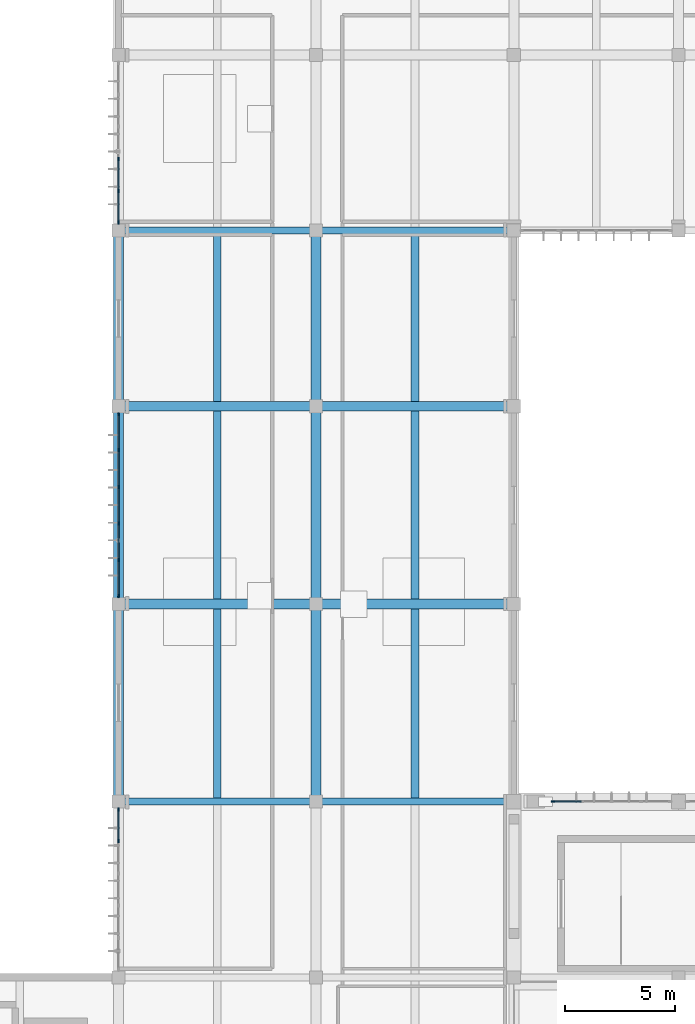
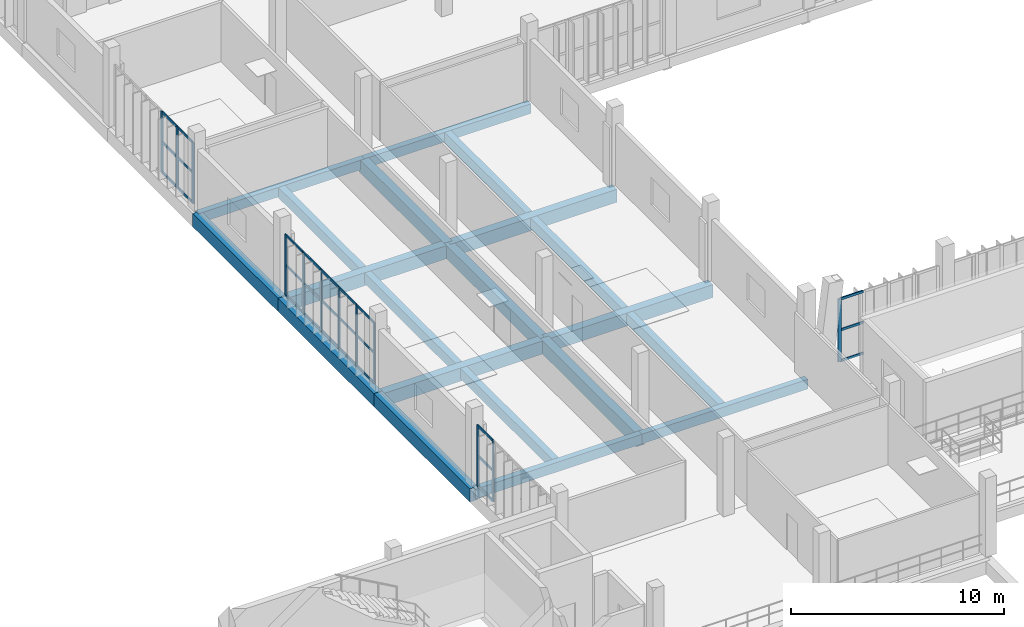
# One storey, part 10 of 81: 39 members, 20 beams, 4 elements without a shape of their own.
"""IFC4 building model written with IfcOpenShell, lengths in metres."""

from ifc_helpers import new_model, si_unit, direction, frame, origin, origin_2d, place, context, subcontext, project, spatial, rectangle, extrude, material, material_profile, profile_set, type_object, element, aggregate, save


model = new_model("IFC4")

# Units and contexts
model_context = context("Model", 3, precision=1e-05, world=origin(), true_north=direction((0.0, 1.0)))
body_context = subcontext(model_context, "Body", "Model", "MODEL_VIEW")
ifc_project = project(units=[si_unit("LENGTHUNIT", "METRE"), si_unit("AREAUNIT", "SQUARE_METRE"), si_unit("VOLUMEUNIT", "CUBIC_METRE"), si_unit("PLANEANGLEUNIT", "RADIAN"), si_unit("MASSUNIT", "GRAM", prefix="KILO")], contexts=[model_context])

# Site, building, storey
site_placement = place(None, origin())
site = spatial("IfcSite", under=ifc_project, at=site_placement, CompositionType="ELEMENT")
building_placement = place(site_placement, origin())
building = spatial("IfcBuilding", under=site, at=building_placement, Name="Vourika Railside Aquatics Centre", CompositionType="ELEMENT")
storey_placement = place(building_placement, frame((0.0, 0.0, 4.800048828125)))
storey = spatial("IfcBuildingStorey", under=building, at=storey_placement, Name="L01", CompositionType="ELEMENT", Elevation=4.800048828125)

# Beams
ifc_material_1 = material(Name="Concrete C35/45", Category="concrete")
ifc_material_profile_1 = material_profile(ifc_material_1, rectangle(XDim=0.449951171875, YDim=0.75, at=origin_2d()), Name="RC 450x750")
ifc_profile_set_1 = profile_set([ifc_material_profile_1], Name="Concrete C35/45")
beam_type_1 = type_object("IfcBeamType", Name="BM-GIRD-450x750", PredefinedType="BEAM", material=ifc_profile_set_1)
for number, where, z_axis, x_axis, name in (
    (1, (18.0, 75.0, -0.675048828125), (1.0, 0.0, 0.0), (0.0, 1.0, 0.0), "Floor Beam GX-L01-096"),
    (2, (27.0, 75.0, -0.675048828125), (1.0, 0.0, 0.0), (0.0, 1.0, 0.0), "Floor Beam GX-L01-097"),
    (3, (18.0, 84.0, -0.675048828125), (1.0, 0.0, 0.0), (0.0, 1.0, 0.0), "Floor Beam GX-L01-100"),
    (4, (27.0, 84.0, -0.675048828125), (1.0, 0.0, 0.0), (0.0, 1.0, 0.0), "Floor Beam GX-L01-101"),
    (5, (18.0, 66.0, -0.675048828125), (0.0, 1.0, 0.0), (-1.0, 0.0, 0.0), "Floor Girder GY-L01-175"),
    (6, (18.0, 75.0, -0.675048828125), (0.0, 1.0, 0.0), (-1.0, 0.0, 0.0), "Floor Girder GY-L01-176"),
):
    element("IfcBeam", number, at=place(storey_placement, frame(where, z_axis=z_axis, x_axis=x_axis)), inside=storey, type_object=beam_type_1, Name=name, PredefinedType="BEAM", context=body_context, shape_type="SweptSolid", body=[
        extrude(rectangle(XDim=0.449951171875, YDim=0.75, at=origin_2d()), origin(), (0.0, 0.0, 1.0), 9.0),
    ])
beam_1_placement = place(storey_placement, frame((18.0, 84.0, -0.675048828125), z_axis=(0.0, 1.0, 0.0), x_axis=(-1.0, 0.0, 0.0)))
element("IfcBeam", 7, at=beam_1_placement, inside=storey, type_object=beam_type_1, Name="Floor Girder GY-L01-177", PredefinedType="BEAM", context=body_context, shape_type="SweptSolid", body=[
    extrude(rectangle(XDim=0.449951171875, YDim=0.75, at=origin_2d()), origin(), (0.0, 0.0, 1.0), 8.0),
])
for number, where, z_axis, x_axis, name in (
    (8, (27.0, 66.0, -0.675048828125), (0.0, 1.0, 0.0), (-1.0, 0.0, 0.0), "Floor Girder GY-L01-183"),
    (9, (27.0, 75.0, -0.675048828125), (0.0, 1.0, 0.0), (-1.0, 0.0, 0.0), "Floor Girder GY-L01-184"),
):
    element("IfcBeam", number, at=place(storey_placement, frame(where, z_axis=z_axis, x_axis=x_axis)), inside=storey, type_object=beam_type_1, Name=name, PredefinedType="BEAM", context=body_context, shape_type="SweptSolid", body=[
        extrude(rectangle(XDim=0.449951171875, YDim=0.75, at=origin_2d()), origin(), (0.0, 0.0, 1.0), 9.0),
    ])
beam_2_placement = place(storey_placement, frame((27.0, 84.0, -0.675048828125), z_axis=(0.0, 1.0, 0.0), x_axis=(-1.0, 0.0, 0.0)))
element("IfcBeam", 10, at=beam_2_placement, inside=storey, type_object=beam_type_1, Name="Floor Girder GY-L01-185", PredefinedType="BEAM", context=body_context, shape_type="SweptSolid", body=[
    extrude(rectangle(XDim=0.449951171875, YDim=0.75, at=origin_2d()), origin(), (0.0, 0.0, 1.0), 8.0),
])
ifc_material_profile_2 = material_profile(ifc_material_1, rectangle(XDim=0.35009765625, YDim=0.60009765625, at=origin_2d()), Name="RC 350x600")
ifc_profile_set_2 = profile_set([ifc_material_profile_2], Name="Concrete C35/45")
beam_type_2 = type_object("IfcBeamType", Name="BM-SEC-350x600", PredefinedType="JOIST", material=ifc_profile_set_2)
for number, where, z_axis, x_axis, name in (
    (11, (22.5, 66.159912109375, -0.60009765625), (0.0, 1.0, 0.0), (-1.0, 0.0, 0.0), "Secondary Joist JY-L01-339"),
    (12, (31.5, 66.159912109375, -0.60009765625), (0.0, 1.0, 0.0), (-1.0, 0.0, 0.0), "Secondary Joist JY-L01-340"),
):
    element("IfcBeam", number, at=place(storey_placement, frame(where, z_axis=z_axis, x_axis=x_axis)), inside=storey, type_object=beam_type_2, Name=name, PredefinedType="JOIST", context=body_context, shape_type="SweptSolid", body=[
        extrude(rectangle(XDim=0.35009765625, YDim=0.60009765625, at=origin_2d()), origin(), (0.0, 0.0, 1.0), 8.614990234375),
    ])
for number, where, z_axis, x_axis, name in (
    (13, (22.5, 75.22509765625, -0.60009765625), (0.0, 1.0, 0.0), (-1.0, 0.0, 0.0), "Secondary Joist JY-L01-343"),
    (14, (31.5, 75.22509765625, -0.60009765625), (0.0, 1.0, 0.0), (-1.0, 0.0, 0.0), "Secondary Joist JY-L01-344"),
):
    element("IfcBeam", number, at=place(storey_placement, frame(where, z_axis=z_axis, x_axis=x_axis)), inside=storey, type_object=beam_type_2, Name=name, PredefinedType="JOIST", context=body_context, shape_type="SweptSolid", body=[
        extrude(rectangle(XDim=0.35009765625, YDim=0.60009765625, at=origin_2d()), origin(), (0.0, 0.0, 1.0), 8.5498046875),
    ])
for number, where, z_axis, x_axis, name in (
    (15, (22.5, 84.22509765625, -0.60009765625), (0.0, 1.0, 0.0), (-1.0, 0.0, 0.0), "Secondary Joist JY-L01-347"),
    (16, (31.5, 84.22509765625, -0.60009765625), (0.0, 1.0, 0.0), (-1.0, 0.0, 0.0), "Secondary Joist JY-L01-348"),
):
    element("IfcBeam", number, at=place(storey_placement, frame(where, z_axis=z_axis, x_axis=x_axis)), inside=storey, type_object=beam_type_2, Name=name, PredefinedType="JOIST", context=body_context, shape_type="SweptSolid", body=[
        extrude(rectangle(XDim=0.35009765625, YDim=0.60009765625, at=origin_2d()), origin(), (0.0, 0.0, 1.0), 7.614990234375),
    ])
ifc_material_profile_3 = material_profile(ifc_material_1, rectangle(XDim=0.320068359375, YDim=0.550048828125, at=origin_2d()), Name="RC 320x550")
ifc_profile_set_3 = profile_set([ifc_material_profile_3], Name="Concrete C35/45")
beam_type_3 = type_object("IfcBeamType", Name="BM-SPAN-320x550", PredefinedType="SPANDREL", material=ifc_profile_set_3)
for number, where, z_axis, x_axis, name in (
    (17, (18.0, 66.0, -0.574951171875), (1.0, 0.0, 0.0), (0.0, 1.0, 0.0), "Floor Beam GX-L01-078"),
    (18, (27.0, 66.0, -0.574951171875), (1.0, 0.0, 0.0), (0.0, 1.0, 0.0), "Floor Beam GX-L01-079"),
    (19, (18.0, 92.0, -0.574951171875), (1.0, 0.0, 0.0), (0.0, 1.0, 0.0), "Floor Beam GX-L01-105"),
    (20, (27.0, 92.0, -0.574951171875), (1.0, 0.0, 0.0), (0.0, 1.0, 0.0), "Floor Beam GX-L01-106"),
):
    element("IfcBeam", number, at=place(storey_placement, frame(where, z_axis=z_axis, x_axis=x_axis)), inside=storey, type_object=beam_type_3, Name=name, PredefinedType="SPANDREL", context=body_context, shape_type="SweptSolid", body=[
        extrude(rectangle(XDim=0.320068359375, YDim=0.550048828125, at=origin_2d()), origin(), (0.0, 0.0, 1.0), 9.0),
    ])

# Curtain wall, member
ifc_material_2 = material(Name="Anodized thermally broken aluminium", Category="aluminium")
curtain_wall_type_1 = type_object("IfcCurtainWallType", Name="CW-CRT1", PredefinedType="NOTDEFINED", material=ifc_material_2)
curtain_wall_1_placement = place(storey_placement, origin())
curtain_wall_1 = element("IfcCurtainWall", 21, at=curtain_wall_1_placement, inside=storey, type_object=curtain_wall_type_1, Name="Spectator Concourse Courtyard Curtain Wall 1", PredefinedType="NOTDEFINED")
ifc_material_3 = material(Name="Anodized aluminium mullion", Category="aluminium")
ifc_material_profile_4 = material_profile(ifc_material_3, rectangle(XDim=0.06591796875, YDim=0.16796875, at=origin_2d()), Name="ALU-M 66x168")
ifc_profile_set_4 = profile_set([ifc_material_profile_4], Name="Anodized aluminium mullion")
member_type_1 = type_object("IfcMemberType", Name="CWM-CRT1", PredefinedType="MULLION", material=ifc_profile_set_4)
member_1_placement = place(storey_placement, frame((37.782958984375, 66.0, 0.0), z_axis=(0.0, 0.0, 1.0), x_axis=(0.0, -1.0, 0.0)))
member_1 = element("IfcMember", 22, at=member_1_placement, type_object=member_type_1, Name="CW13 mullion 5", PredefinedType="MULLION", context=body_context, shape_type="SweptSolid", body=[
    extrude(rectangle(XDim=0.06591796875, YDim=0.16796875, at=origin_2d()), origin(), (0.0, 0.0, 1.0), 3.599853515625),
])

# Curtain wall, members
curtain_wall_type_2 = type_object("IfcCurtainWallType", Name="CW-FIT1", PredefinedType="NOTDEFINED", material=ifc_material_2)
curtain_wall_2_placement = place(storey_placement, origin())
curtain_wall_2 = element("IfcCurtainWall", 23, at=curtain_wall_2_placement, inside=storey, type_object=curtain_wall_type_2, Name="Fitness West Boulevard Curtain Wall L01-1", PredefinedType="NOTDEFINED")
ifc_material_profile_5 = material_profile(ifc_material_3, rectangle(XDim=0.06201171875, YDim=0.156005859375, at=origin_2d()), Name="ALU-M 62x156")
ifc_profile_set_5 = profile_set([ifc_material_profile_5], Name="Anodized aluminium mullion")
member_type_2 = type_object("IfcMemberType", Name="CWM-FIT1", PredefinedType="MULLION", material=ifc_profile_set_5)
member_2_placement = place(storey_placement, frame((18.0, 65.638916015625, 0.0), z_axis=(0.0, 0.0, 1.0), x_axis=(1.0, 0.0, 0.0)))
member_2 = element("IfcMember", 24, at=member_2_placement, type_object=member_type_2, Name="CW15 mullion 1", PredefinedType="MULLION", context=body_context, shape_type="SweptSolid", body=[
    extrude(rectangle(XDim=0.06201171875, YDim=0.156005859375, at=origin_2d()), origin(), (0.0, 0.0, 1.0), 3.5),
])
member_3_placement = place(storey_placement, frame((18.0, 64.201904296875, 0.0), z_axis=(0.0, 0.0, 1.0), x_axis=(1.0, 0.0, 0.0)))
member_3 = element("IfcMember", 25, at=member_3_placement, type_object=member_type_2, Name="CW15 mullion 2", PredefinedType="MULLION", context=body_context, shape_type="SweptSolid", body=[
    extrude(rectangle(XDim=0.06201171875, YDim=0.156005859375, at=origin_2d()), origin(), (0.0, 0.0, 1.0), 3.5),
])

curtain_wall_3_placement = place(storey_placement, origin())
curtain_wall_3 = element("IfcCurtainWall", 26, at=curtain_wall_3_placement, inside=storey, type_object=curtain_wall_type_2, Name="Fitness West Boulevard Curtain Wall L01-3", PredefinedType="NOTDEFINED")
member_4_placement = place(storey_placement, frame((18.0, 83.638916015625, 0.0), z_axis=(0.0, 0.0, 1.0), x_axis=(1.0, 0.0, 0.0)))
member_4 = element("IfcMember", 27, at=member_4_placement, type_object=member_type_2, Name="CW15 mullion 1", PredefinedType="MULLION", context=body_context, shape_type="SweptSolid", body=[
    extrude(rectangle(XDim=0.06201171875, YDim=0.156005859375, at=origin_2d()), origin(), (0.0, 0.0, 1.0), 3.5),
])
member_5_placement = place(storey_placement, frame((18.0, 82.001953125, 0.0), z_axis=(0.0, 0.0, 1.0), x_axis=(1.0, 0.0, 0.0)))
member_5 = element("IfcMember", 28, at=member_5_placement, type_object=member_type_2, Name="CW15 mullion 2", PredefinedType="MULLION", context=body_context, shape_type="SweptSolid", body=[
    extrude(rectangle(XDim=0.06201171875, YDim=0.156005859375, at=origin_2d()), origin(), (0.0, 0.0, 1.0), 3.5),
])
member_6_placement = place(storey_placement, frame((18.0, 80.333984375, 0.0), z_axis=(0.0, 0.0, 1.0), x_axis=(1.0, 0.0, 0.0)))
member_6 = element("IfcMember", 29, at=member_6_placement, type_object=member_type_2, Name="CW15 mullion 3", PredefinedType="MULLION", context=body_context, shape_type="SweptSolid", body=[
    extrude(rectangle(XDim=0.06201171875, YDim=0.156005859375, at=origin_2d()), origin(), (0.0, 0.0, 1.0), 3.5),
])
member_7_placement = place(storey_placement, frame((18.0, 78.666015625, 0.0), z_axis=(0.0, 0.0, 1.0), x_axis=(1.0, 0.0, 0.0)))
member_7 = element("IfcMember", 30, at=member_7_placement, type_object=member_type_2, Name="CW15 mullion 4", PredefinedType="MULLION", context=body_context, shape_type="SweptSolid", body=[
    extrude(rectangle(XDim=0.06201171875, YDim=0.156005859375, at=origin_2d()), origin(), (0.0, 0.0, 1.0), 3.5),
])
member_8_placement = place(storey_placement, frame((18.0, 76.998046875, 0.0), z_axis=(0.0, 0.0, 1.0), x_axis=(1.0, 0.0, 0.0)))
member_8 = element("IfcMember", 31, at=member_8_placement, type_object=member_type_2, Name="CW15 mullion 5", PredefinedType="MULLION", context=body_context, shape_type="SweptSolid", body=[
    extrude(rectangle(XDim=0.06201171875, YDim=0.156005859375, at=origin_2d()), origin(), (0.0, 0.0, 1.0), 3.5),
])
member_9_placement = place(storey_placement, frame((18.0, 75.361083984375, 0.0), z_axis=(0.0, 0.0, 1.0), x_axis=(1.0, 0.0, 0.0)))
member_9 = element("IfcMember", 32, at=member_9_placement, type_object=member_type_2, Name="CW15 mullion 6", PredefinedType="MULLION", context=body_context, shape_type="SweptSolid", body=[
    extrude(rectangle(XDim=0.06201171875, YDim=0.156005859375, at=origin_2d()), origin(), (0.0, 0.0, 1.0), 3.5),
])

curtain_wall_4_placement = place(storey_placement, origin())
curtain_wall_4 = element("IfcCurtainWall", 33, at=curtain_wall_4_placement, inside=storey, type_object=curtain_wall_type_2, Name="Fitness West Boulevard Curtain Wall L01-5", PredefinedType="NOTDEFINED")
member_10_placement = place(storey_placement, frame((18.0, 95.26611328125, 0.0), z_axis=(0.0, 0.0, 1.0), x_axis=(1.0, 0.0, 0.0)))
member_10 = element("IfcMember", 34, at=member_10_placement, type_object=member_type_2, Name="CW15 mullion 4", PredefinedType="MULLION", context=body_context, shape_type="SweptSolid", body=[
    extrude(rectangle(XDim=0.06201171875, YDim=0.156005859375, at=origin_2d()), origin(), (0.0, 0.0, 1.0), 3.5),
])
member_11_placement = place(storey_placement, frame((18.0, 93.798095703125, 0.0), z_axis=(0.0, 0.0, 1.0), x_axis=(1.0, 0.0, 0.0)))
member_11 = element("IfcMember", 35, at=member_11_placement, type_object=member_type_2, Name="CW15 mullion 5", PredefinedType="MULLION", context=body_context, shape_type="SweptSolid", body=[
    extrude(rectangle(XDim=0.06201171875, YDim=0.156005859375, at=origin_2d()), origin(), (0.0, 0.0, 1.0), 3.5),
])
member_12_placement = place(storey_placement, frame((18.0, 92.361083984375, 0.0), z_axis=(0.0, 0.0, 1.0), x_axis=(1.0, 0.0, 0.0)))
member_12 = element("IfcMember", 36, at=member_12_placement, type_object=member_type_2, Name="CW15 mullion 6", PredefinedType="MULLION", context=body_context, shape_type="SweptSolid", body=[
    extrude(rectangle(XDim=0.06201171875, YDim=0.156005859375, at=origin_2d()), origin(), (0.0, 0.0, 1.0), 3.5),
])

# Member
ifc_material_4 = material(Name="Anodized aluminium transom", Category="aluminium")
ifc_material_profile_6 = material_profile(ifc_material_4, rectangle(XDim=0.06591796875, YDim=0.132080078125, at=origin_2d()), Name="ALU-T 66x132")
ifc_profile_set_6 = profile_set([ifc_material_profile_6], Name="Anodized aluminium transom")
member_type_3 = type_object("IfcMemberType", Name="CWT-CRT1", PredefinedType="USERDEFINED", material=ifc_profile_set_6)
member_13_placement = place(storey_placement, frame((39.064453125, 66.0, 0.032958984375), z_axis=(-1.0, 0.0, 0.0), x_axis=(0.0, -1.0, 0.0)))
member_13 = element("IfcMember", 37, at=member_13_placement, type_object=member_type_3, Name="CW13 transom 4.1", ObjectType="TRANSOM", PredefinedType="USERDEFINED", context=body_context, shape_type="SweptSolid", body=[
    extrude(rectangle(XDim=0.06591796875, YDim=0.132080078125, at=origin_2d()), origin(), (0.0, 0.0, 1.0), 1.24853515625),
])

member_14_placement = place(storey_placement, frame((39.064453125, 66.0, 1.800048828125), z_axis=(-1.0, 0.0, 0.0), x_axis=(0.0, -1.0, 0.0)))
member_14 = element("IfcMember", 38, at=member_14_placement, type_object=member_type_3, Name="CW13 transom 4.2", ObjectType="TRANSOM", PredefinedType="USERDEFINED", context=body_context, shape_type="SweptSolid", body=[
    extrude(rectangle(XDim=0.06591796875, YDim=0.132080078125, at=origin_2d()), origin(), (0.0, 0.0, 1.0), 1.24853515625),
])

member_15_placement = place(storey_placement, frame((39.064453125, 66.0, 3.56689453125), z_axis=(-1.0, 0.0, 0.0), x_axis=(0.0, -1.0, 0.0)))
member_15 = element("IfcMember", 39, at=member_15_placement, type_object=member_type_3, Name="CW13 transom 4.3", ObjectType="TRANSOM", PredefinedType="USERDEFINED", context=body_context, shape_type="SweptSolid", body=[
    extrude(rectangle(XDim=0.06591796875, YDim=0.132080078125, at=origin_2d()), origin(), (0.0, 0.0, 1.0), 1.24853515625),
])

aggregate(curtain_wall_1, [member_1, member_13, member_14, member_15])

ifc_material_profile_7 = material_profile(ifc_material_4, rectangle(XDim=0.06201171875, YDim=0.1220703125, at=origin_2d()), Name="ALU-T 62x122")
ifc_profile_set_7 = profile_set([ifc_material_profile_7], Name="Anodized aluminium transom")
member_type_4 = type_object("IfcMemberType", Name="CWT-FIT1", PredefinedType="USERDEFINED", material=ifc_profile_set_7)
member_16_placement = place(storey_placement, frame((18.0, 65.60791015625, 0.031005859375), z_axis=(0.0, -1.0, 0.0), x_axis=(1.0, 0.0, 0.0)))
member_16 = element("IfcMember", 40, at=member_16_placement, type_object=member_type_4, Name="CW15 transom 1.1", ObjectType="TRANSOM", PredefinedType="USERDEFINED", context=body_context, shape_type="SweptSolid", body=[
    extrude(rectangle(XDim=0.06201171875, YDim=0.1220703125, at=origin_2d()), origin(), (0.0, 0.0, 1.0), 1.375),
])

member_17_placement = place(storey_placement, frame((18.0, 65.60791015625, 1.75), z_axis=(0.0, -1.0, 0.0), x_axis=(1.0, 0.0, 0.0)))
member_17 = element("IfcMember", 41, at=member_17_placement, type_object=member_type_4, Name="CW15 transom 1.2", ObjectType="TRANSOM", PredefinedType="USERDEFINED", context=body_context, shape_type="SweptSolid", body=[
    extrude(rectangle(XDim=0.06201171875, YDim=0.1220703125, at=origin_2d()), origin(), (0.0, 0.0, 1.0), 1.375),
])

member_18_placement = place(storey_placement, frame((18.0, 65.60791015625, 3.468994140625), z_axis=(0.0, -1.0, 0.0), x_axis=(1.0, 0.0, 0.0)))
member_18 = element("IfcMember", 42, at=member_18_placement, type_object=member_type_4, Name="CW15 transom 1.3", ObjectType="TRANSOM", PredefinedType="USERDEFINED", context=body_context, shape_type="SweptSolid", body=[
    extrude(rectangle(XDim=0.06201171875, YDim=0.1220703125, at=origin_2d()), origin(), (0.0, 0.0, 1.0), 1.375),
])

aggregate(curtain_wall_2, [member_2, member_3, member_16, member_17, member_18])

member_19_placement = place(storey_placement, frame((18.0, 83.60791015625, 0.031005859375), z_axis=(0.0, -1.0, 0.0), x_axis=(1.0, 0.0, 0.0)))
member_19 = element("IfcMember", 43, at=member_19_placement, type_object=member_type_4, Name="CW15 transom 1.1", ObjectType="TRANSOM", PredefinedType="USERDEFINED", context=body_context, shape_type="SweptSolid", body=[
    extrude(rectangle(XDim=0.06201171875, YDim=0.1220703125, at=origin_2d()), origin(), (0.0, 0.0, 1.0), 1.574951171875),
])

member_20_placement = place(storey_placement, frame((18.0, 83.60791015625, 1.75), z_axis=(0.0, -1.0, 0.0), x_axis=(1.0, 0.0, 0.0)))
member_20 = element("IfcMember", 44, at=member_20_placement, type_object=member_type_4, Name="CW15 transom 1.2", ObjectType="TRANSOM", PredefinedType="USERDEFINED", context=body_context, shape_type="SweptSolid", body=[
    extrude(rectangle(XDim=0.06201171875, YDim=0.1220703125, at=origin_2d()), origin(), (0.0, 0.0, 1.0), 1.574951171875),
])

member_21_placement = place(storey_placement, frame((18.0, 83.60791015625, 3.468994140625), z_axis=(0.0, -1.0, 0.0), x_axis=(1.0, 0.0, 0.0)))
member_21 = element("IfcMember", 45, at=member_21_placement, type_object=member_type_4, Name="CW15 transom 1.3", ObjectType="TRANSOM", PredefinedType="USERDEFINED", context=body_context, shape_type="SweptSolid", body=[
    extrude(rectangle(XDim=0.06201171875, YDim=0.1220703125, at=origin_2d()), origin(), (0.0, 0.0, 1.0), 1.574951171875),
])

member_22_placement = place(storey_placement, frame((18.0, 81.970947265625, 0.031005859375), z_axis=(0.0, -1.0, 0.0), x_axis=(1.0, 0.0, 0.0)))
member_22 = element("IfcMember", 46, at=member_22_placement, type_object=member_type_4, Name="CW15 transom 2.1", ObjectType="TRANSOM", PredefinedType="USERDEFINED", context=body_context, shape_type="SweptSolid", body=[
    extrude(rectangle(XDim=0.06201171875, YDim=0.1220703125, at=origin_2d()), origin(), (0.0, 0.0, 1.0), 1.60595703125),
])

member_23_placement = place(storey_placement, frame((18.0, 81.970947265625, 1.75), z_axis=(0.0, -1.0, 0.0), x_axis=(1.0, 0.0, 0.0)))
member_23 = element("IfcMember", 47, at=member_23_placement, type_object=member_type_4, Name="CW15 transom 2.2", ObjectType="TRANSOM", PredefinedType="USERDEFINED", context=body_context, shape_type="SweptSolid", body=[
    extrude(rectangle(XDim=0.06201171875, YDim=0.1220703125, at=origin_2d()), origin(), (0.0, 0.0, 1.0), 1.60595703125),
])

member_24_placement = place(storey_placement, frame((18.0, 81.970947265625, 3.468994140625), z_axis=(0.0, -1.0, 0.0), x_axis=(1.0, 0.0, 0.0)))
member_24 = element("IfcMember", 48, at=member_24_placement, type_object=member_type_4, Name="CW15 transom 2.3", ObjectType="TRANSOM", PredefinedType="USERDEFINED", context=body_context, shape_type="SweptSolid", body=[
    extrude(rectangle(XDim=0.06201171875, YDim=0.1220703125, at=origin_2d()), origin(), (0.0, 0.0, 1.0), 1.60595703125),
])

member_25_placement = place(storey_placement, frame((18.0, 80.302978515625, 0.031005859375), z_axis=(0.0, -1.0, 0.0), x_axis=(1.0, 0.0, 0.0)))
member_25 = element("IfcMember", 49, at=member_25_placement, type_object=member_type_4, Name="CW15 transom 3.1", ObjectType="TRANSOM", PredefinedType="USERDEFINED", context=body_context, shape_type="SweptSolid", body=[
    extrude(rectangle(XDim=0.06201171875, YDim=0.1220703125, at=origin_2d()), origin(), (0.0, 0.0, 1.0), 1.60595703125),
])

member_26_placement = place(storey_placement, frame((18.0, 80.302978515625, 1.75), z_axis=(0.0, -1.0, 0.0), x_axis=(1.0, 0.0, 0.0)))
member_26 = element("IfcMember", 50, at=member_26_placement, type_object=member_type_4, Name="CW15 transom 3.2", ObjectType="TRANSOM", PredefinedType="USERDEFINED", context=body_context, shape_type="SweptSolid", body=[
    extrude(rectangle(XDim=0.06201171875, YDim=0.1220703125, at=origin_2d()), origin(), (0.0, 0.0, 1.0), 1.60595703125),
])

member_27_placement = place(storey_placement, frame((18.0, 80.302978515625, 3.468994140625), z_axis=(0.0, -1.0, 0.0), x_axis=(1.0, 0.0, 0.0)))
member_27 = element("IfcMember", 51, at=member_27_placement, type_object=member_type_4, Name="CW15 transom 3.3", ObjectType="TRANSOM", PredefinedType="USERDEFINED", context=body_context, shape_type="SweptSolid", body=[
    extrude(rectangle(XDim=0.06201171875, YDim=0.1220703125, at=origin_2d()), origin(), (0.0, 0.0, 1.0), 1.60595703125),
])

member_28_placement = place(storey_placement, frame((18.0, 78.635009765625, 0.031005859375), z_axis=(0.0, -1.0, 0.0), x_axis=(1.0, 0.0, 0.0)))
member_28 = element("IfcMember", 52, at=member_28_placement, type_object=member_type_4, Name="CW15 transom 4.1", ObjectType="TRANSOM", PredefinedType="USERDEFINED", context=body_context, shape_type="SweptSolid", body=[
    extrude(rectangle(XDim=0.06201171875, YDim=0.1220703125, at=origin_2d()), origin(), (0.0, 0.0, 1.0), 1.60595703125),
])

member_29_placement = place(storey_placement, frame((18.0, 78.635009765625, 1.75), z_axis=(0.0, -1.0, 0.0), x_axis=(1.0, 0.0, 0.0)))
member_29 = element("IfcMember", 53, at=member_29_placement, type_object=member_type_4, Name="CW15 transom 4.2", ObjectType="TRANSOM", PredefinedType="USERDEFINED", context=body_context, shape_type="SweptSolid", body=[
    extrude(rectangle(XDim=0.06201171875, YDim=0.1220703125, at=origin_2d()), origin(), (0.0, 0.0, 1.0), 1.60595703125),
])

member_30_placement = place(storey_placement, frame((18.0, 78.635009765625, 3.468994140625), z_axis=(0.0, -1.0, 0.0), x_axis=(1.0, 0.0, 0.0)))
member_30 = element("IfcMember", 54, at=member_30_placement, type_object=member_type_4, Name="CW15 transom 4.3", ObjectType="TRANSOM", PredefinedType="USERDEFINED", context=body_context, shape_type="SweptSolid", body=[
    extrude(rectangle(XDim=0.06201171875, YDim=0.1220703125, at=origin_2d()), origin(), (0.0, 0.0, 1.0), 1.60595703125),
])

member_31_placement = place(storey_placement, frame((18.0, 76.967041015625, 0.031005859375), z_axis=(0.0, -1.0, 0.0), x_axis=(1.0, 0.0, 0.0)))
member_31 = element("IfcMember", 55, at=member_31_placement, type_object=member_type_4, Name="CW15 transom 5.1", ObjectType="TRANSOM", PredefinedType="USERDEFINED", context=body_context, shape_type="SweptSolid", body=[
    extrude(rectangle(XDim=0.06201171875, YDim=0.1220703125, at=origin_2d()), origin(), (0.0, 0.0, 1.0), 1.574951171875),
])

member_32_placement = place(storey_placement, frame((18.0, 76.967041015625, 1.75), z_axis=(0.0, -1.0, 0.0), x_axis=(1.0, 0.0, 0.0)))
member_32 = element("IfcMember", 56, at=member_32_placement, type_object=member_type_4, Name="CW15 transom 5.2", ObjectType="TRANSOM", PredefinedType="USERDEFINED", context=body_context, shape_type="SweptSolid", body=[
    extrude(rectangle(XDim=0.06201171875, YDim=0.1220703125, at=origin_2d()), origin(), (0.0, 0.0, 1.0), 1.574951171875),
])

member_33_placement = place(storey_placement, frame((18.0, 76.967041015625, 3.468994140625), z_axis=(0.0, -1.0, 0.0), x_axis=(1.0, 0.0, 0.0)))
member_33 = element("IfcMember", 57, at=member_33_placement, type_object=member_type_4, Name="CW15 transom 5.3", ObjectType="TRANSOM", PredefinedType="USERDEFINED", context=body_context, shape_type="SweptSolid", body=[
    extrude(rectangle(XDim=0.06201171875, YDim=0.1220703125, at=origin_2d()), origin(), (0.0, 0.0, 1.0), 1.574951171875),
])

aggregate(curtain_wall_3, [member_4, member_5, member_6, member_7, member_8, member_9, member_19, member_20, member_21, member_22, member_23, member_24, member_25, member_26, member_27, member_28, member_29, member_30, member_31, member_32, member_33])

member_34_placement = place(storey_placement, frame((18.0, 95.235107421875, 0.031005859375), z_axis=(0.0, -1.0, 0.0), x_axis=(1.0, 0.0, 0.0)))
member_34 = element("IfcMember", 58, at=member_34_placement, type_object=member_type_4, Name="CW15 transom 4.1", ObjectType="TRANSOM", PredefinedType="USERDEFINED", context=body_context, shape_type="SweptSolid", body=[
    extrude(rectangle(XDim=0.06201171875, YDim=0.1220703125, at=origin_2d()), origin(), (0.0, 0.0, 1.0), 1.406005859375),
])

member_35_placement = place(storey_placement, frame((18.0, 95.235107421875, 1.75), z_axis=(0.0, -1.0, 0.0), x_axis=(1.0, 0.0, 0.0)))
member_35 = element("IfcMember", 59, at=member_35_placement, type_object=member_type_4, Name="CW15 transom 4.2", ObjectType="TRANSOM", PredefinedType="USERDEFINED", context=body_context, shape_type="SweptSolid", body=[
    extrude(rectangle(XDim=0.06201171875, YDim=0.1220703125, at=origin_2d()), origin(), (0.0, 0.0, 1.0), 1.406005859375),
])

member_36_placement = place(storey_placement, frame((18.0, 95.235107421875, 3.468994140625), z_axis=(0.0, -1.0, 0.0), x_axis=(1.0, 0.0, 0.0)))
member_36 = element("IfcMember", 60, at=member_36_placement, type_object=member_type_4, Name="CW15 transom 4.3", ObjectType="TRANSOM", PredefinedType="USERDEFINED", context=body_context, shape_type="SweptSolid", body=[
    extrude(rectangle(XDim=0.06201171875, YDim=0.1220703125, at=origin_2d()), origin(), (0.0, 0.0, 1.0), 1.406005859375),
])

member_37_placement = place(storey_placement, frame((18.0, 93.76708984375, 0.031005859375), z_axis=(0.0, -1.0, 0.0), x_axis=(1.0, 0.0, 0.0)))
member_37 = element("IfcMember", 61, at=member_37_placement, type_object=member_type_4, Name="CW15 transom 5.1", ObjectType="TRANSOM", PredefinedType="USERDEFINED", context=body_context, shape_type="SweptSolid", body=[
    extrude(rectangle(XDim=0.06201171875, YDim=0.1220703125, at=origin_2d()), origin(), (0.0, 0.0, 1.0), 1.375),
])

member_38_placement = place(storey_placement, frame((18.0, 93.76708984375, 1.75), z_axis=(0.0, -1.0, 0.0), x_axis=(1.0, 0.0, 0.0)))
member_38 = element("IfcMember", 62, at=member_38_placement, type_object=member_type_4, Name="CW15 transom 5.2", ObjectType="TRANSOM", PredefinedType="USERDEFINED", context=body_context, shape_type="SweptSolid", body=[
    extrude(rectangle(XDim=0.06201171875, YDim=0.1220703125, at=origin_2d()), origin(), (0.0, 0.0, 1.0), 1.375),
])

member_39_placement = place(storey_placement, frame((18.0, 93.76708984375, 3.468994140625), z_axis=(0.0, -1.0, 0.0), x_axis=(1.0, 0.0, 0.0)))
member_39 = element("IfcMember", 63, at=member_39_placement, type_object=member_type_4, Name="CW15 transom 5.3", ObjectType="TRANSOM", PredefinedType="USERDEFINED", context=body_context, shape_type="SweptSolid", body=[
    extrude(rectangle(XDim=0.06201171875, YDim=0.1220703125, at=origin_2d()), origin(), (0.0, 0.0, 1.0), 1.375),
])

aggregate(curtain_wall_4, [member_10, member_11, member_12, member_34, member_35, member_36, member_37, member_38, member_39])

save(model, "model.ifc")
